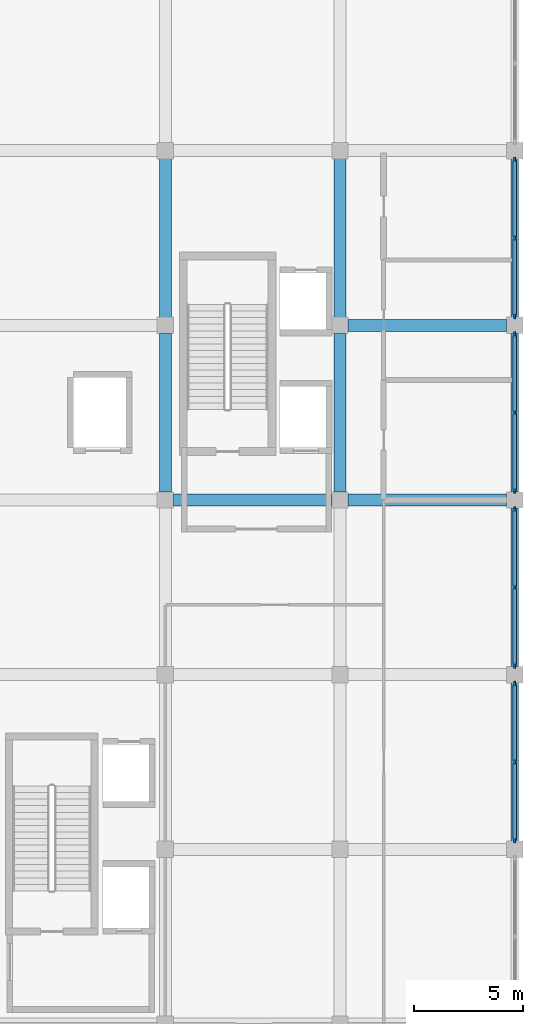
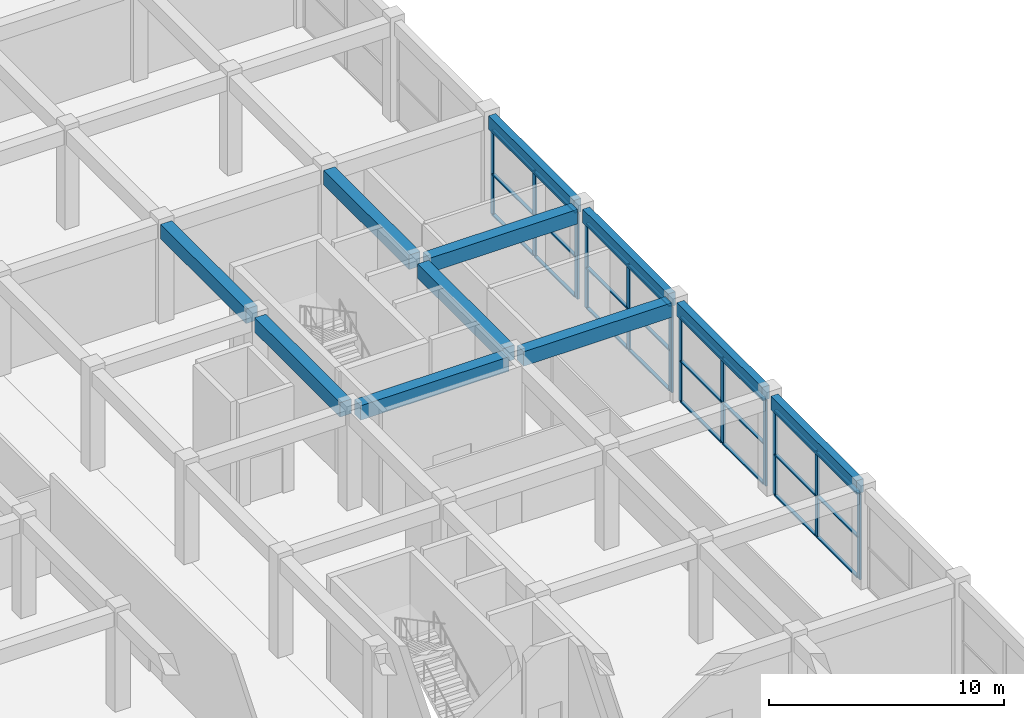
# One storey, part 36 of 69: 36 members, 11 beams, 4 elements without a shape of their own.
"""IFC4 building model written with IfcOpenShell, lengths in metres."""

from ifc_helpers import new_model, si_unit, direction, frame, origin, origin_2d, place, context, subcontext, project, spatial, rectangle, extrude, material, material_profile, profile_set, type_object, element, aggregate, save


model = new_model("IFC4")

# Units and contexts
model_context = context("Model", 3, precision=1e-05, world=origin(), true_north=direction((0.0, 1.0)))
body_context = subcontext(model_context, "Body", "Model", "MODEL_VIEW")
ifc_project = project(units=[si_unit("LENGTHUNIT", "METRE"), si_unit("AREAUNIT", "SQUARE_METRE"), si_unit("VOLUMEUNIT", "CUBIC_METRE"), si_unit("PLANEANGLEUNIT", "RADIAN"), si_unit("MASSUNIT", "GRAM", prefix="KILO")], contexts=[model_context])

# Site, building, storey
site_placement = place(None, origin())
site = spatial("IfcSite", under=ifc_project, at=site_placement, CompositionType="ELEMENT")
building_placement = place(site_placement, origin())
building = spatial("IfcBuilding", under=site, at=building_placement, Name="Kenh Van Central Station", CompositionType="ELEMENT")
storey_placement = place(building_placement, frame((0.0, 0.0, 5.39990234375)))
storey = spatial("IfcBuildingStorey", under=building, at=storey_placement, Name="L01", CompositionType="ELEMENT", Elevation=5.39990234375)

# Beams
ifc_material_1 = material(Name="Concrete C35/45", Category="concrete")
ifc_material_profile_1 = material_profile(ifc_material_1, rectangle(XDim=0.550048828125, YDim=0.75, at=origin_2d()), Name="RC 550x750")
ifc_profile_set_1 = profile_set([ifc_material_profile_1], Name="Concrete C35/45")
beam_type_1 = type_object("IfcBeamType", Name="BM-RC-550x750", PredefinedType="BEAM", material=ifc_profile_set_1)
for number, where, z_axis, x_axis, name in (
    (1, (160.364990234375, 48.0, 4.76513671875), (1.0, 0.0, 0.0), (0.0, 1.0, 0.0), "L01 beam 0721"),
    (2, (168.364990234375, 48.0, 4.76513671875), (1.0, 0.0, 0.0), (0.0, 1.0, 0.0), "L01 beam 0722"),
    (3, (168.364990234375, 56.0, 4.76513671875), (1.0, 0.0, 0.0), (0.0, 1.0, 0.0), "L01 beam 0736"),
    (4, (160.0, 48.364990234375, 4.76513671875), (0.0, 1.0, 0.0), (-1.0, 0.0, 0.0), "L01 beam 0887"),
    (5, (160.0, 56.364990234375, 4.76513671875), (0.0, 1.0, 0.0), (-1.0, 0.0, 0.0), "L01 beam 0888"),
    (6, (168.0, 48.364990234375, 4.76513671875), (0.0, 1.0, 0.0), (-1.0, 0.0, 0.0), "L01 beam 0897"),
    (7, (168.0, 56.364990234375, 4.76513671875), (0.0, 1.0, 0.0), (-1.0, 0.0, 0.0), "L01 beam 0898"),
):
    element("IfcBeam", number, at=place(storey_placement, frame(where, z_axis=z_axis, x_axis=x_axis)), inside=storey, type_object=beam_type_1, Name=name, PredefinedType="BEAM", context=body_context, shape_type="SweptSolid", body=[
        extrude(rectangle(XDim=0.550048828125, YDim=0.75, at=origin_2d()), origin(), (0.0, 0.0, 1.0), 7.27001953125),
    ])

# Curtain wall, members
ifc_material_2 = material(Name="Champagne anodised aluminium", Category="aluminium")
curtain_wall_type = type_object("IfcCurtainWallType", Name="CW-OPER-A", PredefinedType="NOTDEFINED", material=ifc_material_2)
curtain_wall_1_placement = place(storey_placement, origin())
curtain_wall_1 = element("IfcCurtainWall", 8, at=curtain_wall_1_placement, inside=storey, type_object=curtain_wall_type, Name="L01 curtain wall 140", PredefinedType="NOTDEFINED")
ifc_material_profile_2 = material_profile(ifc_material_2, rectangle(XDim=0.087890625, YDim=0.239990234375, at=origin_2d()), Name="AL 88x240")
ifc_profile_set_2 = profile_set([ifc_material_profile_2], Name="Champagne anodised aluminium")
member_type_1 = type_object("IfcMemberType", Name="CWM-60x140", PredefinedType="MULLION", material=ifc_profile_set_2)
member_1_placement = place(storey_placement, frame((176.0, 32.4189453125, 0.0), z_axis=(0.0, 0.0, 1.0), x_axis=(-1.0, 0.0, 0.0)))
member_1 = element("IfcMember", 9, at=member_1_placement, type_object=member_type_1, Name="CW-07 mullion 1", PredefinedType="MULLION", context=body_context, shape_type="SweptSolid", body=[
    extrude(rectangle(XDim=0.087890625, YDim=0.239990234375, at=origin_2d()), origin(), (0.0, 0.0, 1.0), 4.440185546875),
])
member_2_placement = place(storey_placement, frame((176.0, 36.0, 0.0), z_axis=(0.0, 0.0, 1.0), x_axis=(-1.0, 0.0, 0.0)))
member_2 = element("IfcMember", 10, at=member_2_placement, type_object=member_type_1, Name="CW-07 mullion 2", PredefinedType="MULLION", context=body_context, shape_type="SweptSolid", body=[
    extrude(rectangle(XDim=0.087890625, YDim=0.239990234375, at=origin_2d()), origin(), (0.0, 0.0, 1.0), 4.440185546875),
])
member_3_placement = place(storey_placement, frame((176.0, 39.5810546875, 0.0), z_axis=(0.0, 0.0, 1.0), x_axis=(-1.0, 0.0, 0.0)))
member_3 = element("IfcMember", 11, at=member_3_placement, type_object=member_type_1, Name="CW-07 mullion 3", PredefinedType="MULLION", context=body_context, shape_type="SweptSolid", body=[
    extrude(rectangle(XDim=0.087890625, YDim=0.239990234375, at=origin_2d()), origin(), (0.0, 0.0, 1.0), 4.440185546875),
])

curtain_wall_2_placement = place(storey_placement, origin())
curtain_wall_2 = element("IfcCurtainWall", 12, at=curtain_wall_2_placement, inside=storey, type_object=curtain_wall_type, Name="L01 curtain wall 141", PredefinedType="NOTDEFINED")
member_4_placement = place(storey_placement, frame((176.0, 40.4189453125, 0.0), z_axis=(0.0, 0.0, 1.0), x_axis=(-1.0, 0.0, 0.0)))
member_4 = element("IfcMember", 13, at=member_4_placement, type_object=member_type_1, Name="CW-07 mullion 1", PredefinedType="MULLION", context=body_context, shape_type="SweptSolid", body=[
    extrude(rectangle(XDim=0.087890625, YDim=0.239990234375, at=origin_2d()), origin(), (0.0, 0.0, 1.0), 4.440185546875),
])
member_5_placement = place(storey_placement, frame((176.0, 44.0, 0.0), z_axis=(0.0, 0.0, 1.0), x_axis=(-1.0, 0.0, 0.0)))
member_5 = element("IfcMember", 14, at=member_5_placement, type_object=member_type_1, Name="CW-07 mullion 2", PredefinedType="MULLION", context=body_context, shape_type="SweptSolid", body=[
    extrude(rectangle(XDim=0.087890625, YDim=0.239990234375, at=origin_2d()), origin(), (0.0, 0.0, 1.0), 4.440185546875),
])
member_6_placement = place(storey_placement, frame((176.0, 47.5810546875, 0.0), z_axis=(0.0, 0.0, 1.0), x_axis=(-1.0, 0.0, 0.0)))
member_6 = element("IfcMember", 15, at=member_6_placement, type_object=member_type_1, Name="CW-07 mullion 3", PredefinedType="MULLION", context=body_context, shape_type="SweptSolid", body=[
    extrude(rectangle(XDim=0.087890625, YDim=0.239990234375, at=origin_2d()), origin(), (0.0, 0.0, 1.0), 4.440185546875),
])

curtain_wall_3_placement = place(storey_placement, origin())
curtain_wall_3 = element("IfcCurtainWall", 16, at=curtain_wall_3_placement, inside=storey, type_object=curtain_wall_type, Name="L01 curtain wall 142", PredefinedType="NOTDEFINED")
member_7_placement = place(storey_placement, frame((176.0, 48.4189453125, 0.0), z_axis=(0.0, 0.0, 1.0), x_axis=(-1.0, 0.0, 0.0)))
member_7 = element("IfcMember", 17, at=member_7_placement, type_object=member_type_1, Name="CW-07 mullion 1", PredefinedType="MULLION", context=body_context, shape_type="SweptSolid", body=[
    extrude(rectangle(XDim=0.087890625, YDim=0.239990234375, at=origin_2d()), origin(), (0.0, 0.0, 1.0), 4.440185546875),
])
member_8_placement = place(storey_placement, frame((176.0, 52.0, 0.0), z_axis=(0.0, 0.0, 1.0), x_axis=(-1.0, 0.0, 0.0)))
member_8 = element("IfcMember", 18, at=member_8_placement, type_object=member_type_1, Name="CW-07 mullion 2", PredefinedType="MULLION", context=body_context, shape_type="SweptSolid", body=[
    extrude(rectangle(XDim=0.087890625, YDim=0.239990234375, at=origin_2d()), origin(), (0.0, 0.0, 1.0), 4.440185546875),
])
member_9_placement = place(storey_placement, frame((176.0, 55.5810546875, 0.0), z_axis=(0.0, 0.0, 1.0), x_axis=(-1.0, 0.0, 0.0)))
member_9 = element("IfcMember", 19, at=member_9_placement, type_object=member_type_1, Name="CW-07 mullion 3", PredefinedType="MULLION", context=body_context, shape_type="SweptSolid", body=[
    extrude(rectangle(XDim=0.087890625, YDim=0.239990234375, at=origin_2d()), origin(), (0.0, 0.0, 1.0), 4.440185546875),
])

curtain_wall_4_placement = place(storey_placement, origin())
curtain_wall_4 = element("IfcCurtainWall", 20, at=curtain_wall_4_placement, inside=storey, type_object=curtain_wall_type, Name="L01 curtain wall 143", PredefinedType="NOTDEFINED")
member_10_placement = place(storey_placement, frame((176.0, 56.4189453125, 0.0), z_axis=(0.0, 0.0, 1.0), x_axis=(-1.0, 0.0, 0.0)))
member_10 = element("IfcMember", 21, at=member_10_placement, type_object=member_type_1, Name="CW-07 mullion 1", PredefinedType="MULLION", context=body_context, shape_type="SweptSolid", body=[
    extrude(rectangle(XDim=0.087890625, YDim=0.239990234375, at=origin_2d()), origin(), (0.0, 0.0, 1.0), 4.440185546875),
])
member_11_placement = place(storey_placement, frame((176.0, 60.0, 0.0), z_axis=(0.0, 0.0, 1.0), x_axis=(-1.0, 0.0, 0.0)))
member_11 = element("IfcMember", 22, at=member_11_placement, type_object=member_type_1, Name="CW-07 mullion 2", PredefinedType="MULLION", context=body_context, shape_type="SweptSolid", body=[
    extrude(rectangle(XDim=0.087890625, YDim=0.239990234375, at=origin_2d()), origin(), (0.0, 0.0, 1.0), 4.440185546875),
])
member_12_placement = place(storey_placement, frame((176.0, 63.5810546875, 0.0), z_axis=(0.0, 0.0, 1.0), x_axis=(-1.0, 0.0, 0.0)))
member_12 = element("IfcMember", 23, at=member_12_placement, type_object=member_type_1, Name="CW-07 mullion 3", PredefinedType="MULLION", context=body_context, shape_type="SweptSolid", body=[
    extrude(rectangle(XDim=0.087890625, YDim=0.239990234375, at=origin_2d()), origin(), (0.0, 0.0, 1.0), 4.440185546875),
])

# Member
ifc_material_profile_3 = material_profile(ifc_material_2, rectangle(XDim=0.155029296875, YDim=0.072021484375, at=origin_2d()), Name="AL 155x72")
ifc_profile_set_3 = profile_set([ifc_material_profile_3], Name="Champagne anodised aluminium")
member_type_2 = type_object("IfcMemberType", Name="CWT-120x60", PredefinedType="USERDEFINED", material=ifc_profile_set_3)
member_13_placement = place(storey_placement, frame((176.0, 32.462890625, 0.0361328125), z_axis=(0.0, 1.0, 0.0), x_axis=(-1.0, 0.0, 0.0)))
member_13 = element("IfcMember", 24, at=member_13_placement, type_object=member_type_2, Name="CW-07 transom 1.1", ObjectType="TRANSOM", PredefinedType="USERDEFINED", context=body_context, shape_type="SweptSolid", body=[
    extrude(rectangle(XDim=0.155029296875, YDim=0.072021484375, at=origin_2d()), origin(), (0.0, 0.0, 1.0), 3.4931640625),
])

member_14_placement = place(storey_placement, frame((176.0, 32.462890625, 2.13134765625), z_axis=(0.0, 1.0, 0.0), x_axis=(-1.0, 0.0, 0.0)))
member_14 = element("IfcMember", 25, at=member_14_placement, type_object=member_type_2, Name="CW-07 transom 1.2", ObjectType="TRANSOM", PredefinedType="USERDEFINED", context=body_context, shape_type="SweptSolid", body=[
    extrude(rectangle(XDim=0.155029296875, YDim=0.072021484375, at=origin_2d()), origin(), (0.0, 0.0, 1.0), 3.4931640625),
])

member_15_placement = place(storey_placement, frame((176.0, 32.462890625, 4.404052734375), z_axis=(0.0, 1.0, 0.0), x_axis=(-1.0, 0.0, 0.0)))
member_15 = element("IfcMember", 26, at=member_15_placement, type_object=member_type_2, Name="CW-07 transom 1.3", ObjectType="TRANSOM", PredefinedType="USERDEFINED", context=body_context, shape_type="SweptSolid", body=[
    extrude(rectangle(XDim=0.155029296875, YDim=0.072021484375, at=origin_2d()), origin(), (0.0, 0.0, 1.0), 3.4931640625),
])

member_16_placement = place(storey_placement, frame((176.0, 36.0439453125, 0.0361328125), z_axis=(0.0, 1.0, 0.0), x_axis=(-1.0, 0.0, 0.0)))
member_16 = element("IfcMember", 27, at=member_16_placement, type_object=member_type_2, Name="CW-07 transom 2.1", ObjectType="TRANSOM", PredefinedType="USERDEFINED", context=body_context, shape_type="SweptSolid", body=[
    extrude(rectangle(XDim=0.155029296875, YDim=0.072021484375, at=origin_2d()), origin(), (0.0, 0.0, 1.0), 3.4931640625),
])

member_17_placement = place(storey_placement, frame((176.0, 36.0439453125, 2.13134765625), z_axis=(0.0, 1.0, 0.0), x_axis=(-1.0, 0.0, 0.0)))
member_17 = element("IfcMember", 28, at=member_17_placement, type_object=member_type_2, Name="CW-07 transom 2.2", ObjectType="TRANSOM", PredefinedType="USERDEFINED", context=body_context, shape_type="SweptSolid", body=[
    extrude(rectangle(XDim=0.155029296875, YDim=0.072021484375, at=origin_2d()), origin(), (0.0, 0.0, 1.0), 3.4931640625),
])

member_18_placement = place(storey_placement, frame((176.0, 36.0439453125, 4.404052734375), z_axis=(0.0, 1.0, 0.0), x_axis=(-1.0, 0.0, 0.0)))
member_18 = element("IfcMember", 29, at=member_18_placement, type_object=member_type_2, Name="CW-07 transom 2.3", ObjectType="TRANSOM", PredefinedType="USERDEFINED", context=body_context, shape_type="SweptSolid", body=[
    extrude(rectangle(XDim=0.155029296875, YDim=0.072021484375, at=origin_2d()), origin(), (0.0, 0.0, 1.0), 3.4931640625),
])

aggregate(curtain_wall_1, [member_1, member_2, member_3, member_13, member_14, member_15, member_16, member_17, member_18])

member_19_placement = place(storey_placement, frame((176.0, 40.462890625, 0.0361328125), z_axis=(0.0, 1.0, 0.0), x_axis=(-1.0, 0.0, 0.0)))
member_19 = element("IfcMember", 30, at=member_19_placement, type_object=member_type_2, Name="CW-07 transom 1.1", ObjectType="TRANSOM", PredefinedType="USERDEFINED", context=body_context, shape_type="SweptSolid", body=[
    extrude(rectangle(XDim=0.155029296875, YDim=0.072021484375, at=origin_2d()), origin(), (0.0, 0.0, 1.0), 3.4931640625),
])

member_20_placement = place(storey_placement, frame((176.0, 40.462890625, 2.13134765625), z_axis=(0.0, 1.0, 0.0), x_axis=(-1.0, 0.0, 0.0)))
member_20 = element("IfcMember", 31, at=member_20_placement, type_object=member_type_2, Name="CW-07 transom 1.2", ObjectType="TRANSOM", PredefinedType="USERDEFINED", context=body_context, shape_type="SweptSolid", body=[
    extrude(rectangle(XDim=0.155029296875, YDim=0.072021484375, at=origin_2d()), origin(), (0.0, 0.0, 1.0), 3.4931640625),
])

member_21_placement = place(storey_placement, frame((176.0, 40.462890625, 4.404052734375), z_axis=(0.0, 1.0, 0.0), x_axis=(-1.0, 0.0, 0.0)))
member_21 = element("IfcMember", 32, at=member_21_placement, type_object=member_type_2, Name="CW-07 transom 1.3", ObjectType="TRANSOM", PredefinedType="USERDEFINED", context=body_context, shape_type="SweptSolid", body=[
    extrude(rectangle(XDim=0.155029296875, YDim=0.072021484375, at=origin_2d()), origin(), (0.0, 0.0, 1.0), 3.4931640625),
])

member_22_placement = place(storey_placement, frame((176.0, 44.0439453125, 0.0361328125), z_axis=(0.0, 1.0, 0.0), x_axis=(-1.0, 0.0, 0.0)))
member_22 = element("IfcMember", 33, at=member_22_placement, type_object=member_type_2, Name="CW-07 transom 2.1", ObjectType="TRANSOM", PredefinedType="USERDEFINED", context=body_context, shape_type="SweptSolid", body=[
    extrude(rectangle(XDim=0.155029296875, YDim=0.072021484375, at=origin_2d()), origin(), (0.0, 0.0, 1.0), 3.4931640625),
])

member_23_placement = place(storey_placement, frame((176.0, 44.0439453125, 2.13134765625), z_axis=(0.0, 1.0, 0.0), x_axis=(-1.0, 0.0, 0.0)))
member_23 = element("IfcMember", 34, at=member_23_placement, type_object=member_type_2, Name="CW-07 transom 2.2", ObjectType="TRANSOM", PredefinedType="USERDEFINED", context=body_context, shape_type="SweptSolid", body=[
    extrude(rectangle(XDim=0.155029296875, YDim=0.072021484375, at=origin_2d()), origin(), (0.0, 0.0, 1.0), 3.4931640625),
])

member_24_placement = place(storey_placement, frame((176.0, 44.0439453125, 4.404052734375), z_axis=(0.0, 1.0, 0.0), x_axis=(-1.0, 0.0, 0.0)))
member_24 = element("IfcMember", 35, at=member_24_placement, type_object=member_type_2, Name="CW-07 transom 2.3", ObjectType="TRANSOM", PredefinedType="USERDEFINED", context=body_context, shape_type="SweptSolid", body=[
    extrude(rectangle(XDim=0.155029296875, YDim=0.072021484375, at=origin_2d()), origin(), (0.0, 0.0, 1.0), 3.4931640625),
])

aggregate(curtain_wall_2, [member_4, member_5, member_6, member_19, member_20, member_21, member_22, member_23, member_24])

member_25_placement = place(storey_placement, frame((176.0, 48.462890625, 0.0361328125), z_axis=(0.0, 1.0, 0.0), x_axis=(-1.0, 0.0, 0.0)))
member_25 = element("IfcMember", 36, at=member_25_placement, type_object=member_type_2, Name="CW-07 transom 1.1", ObjectType="TRANSOM", PredefinedType="USERDEFINED", context=body_context, shape_type="SweptSolid", body=[
    extrude(rectangle(XDim=0.155029296875, YDim=0.072021484375, at=origin_2d()), origin(), (0.0, 0.0, 1.0), 3.4931640625),
])

member_26_placement = place(storey_placement, frame((176.0, 48.462890625, 2.13134765625), z_axis=(0.0, 1.0, 0.0), x_axis=(-1.0, 0.0, 0.0)))
member_26 = element("IfcMember", 37, at=member_26_placement, type_object=member_type_2, Name="CW-07 transom 1.2", ObjectType="TRANSOM", PredefinedType="USERDEFINED", context=body_context, shape_type="SweptSolid", body=[
    extrude(rectangle(XDim=0.155029296875, YDim=0.072021484375, at=origin_2d()), origin(), (0.0, 0.0, 1.0), 3.4931640625),
])

member_27_placement = place(storey_placement, frame((176.0, 48.462890625, 4.404052734375), z_axis=(0.0, 1.0, 0.0), x_axis=(-1.0, 0.0, 0.0)))
member_27 = element("IfcMember", 38, at=member_27_placement, type_object=member_type_2, Name="CW-07 transom 1.3", ObjectType="TRANSOM", PredefinedType="USERDEFINED", context=body_context, shape_type="SweptSolid", body=[
    extrude(rectangle(XDim=0.155029296875, YDim=0.072021484375, at=origin_2d()), origin(), (0.0, 0.0, 1.0), 3.4931640625),
])

member_28_placement = place(storey_placement, frame((176.0, 52.0439453125, 0.0361328125), z_axis=(0.0, 1.0, 0.0), x_axis=(-1.0, 0.0, 0.0)))
member_28 = element("IfcMember", 39, at=member_28_placement, type_object=member_type_2, Name="CW-07 transom 2.1", ObjectType="TRANSOM", PredefinedType="USERDEFINED", context=body_context, shape_type="SweptSolid", body=[
    extrude(rectangle(XDim=0.155029296875, YDim=0.072021484375, at=origin_2d()), origin(), (0.0, 0.0, 1.0), 3.4931640625),
])

member_29_placement = place(storey_placement, frame((176.0, 52.0439453125, 2.13134765625), z_axis=(0.0, 1.0, 0.0), x_axis=(-1.0, 0.0, 0.0)))
member_29 = element("IfcMember", 40, at=member_29_placement, type_object=member_type_2, Name="CW-07 transom 2.2", ObjectType="TRANSOM", PredefinedType="USERDEFINED", context=body_context, shape_type="SweptSolid", body=[
    extrude(rectangle(XDim=0.155029296875, YDim=0.072021484375, at=origin_2d()), origin(), (0.0, 0.0, 1.0), 3.4931640625),
])

member_30_placement = place(storey_placement, frame((176.0, 52.0439453125, 4.404052734375), z_axis=(0.0, 1.0, 0.0), x_axis=(-1.0, 0.0, 0.0)))
member_30 = element("IfcMember", 41, at=member_30_placement, type_object=member_type_2, Name="CW-07 transom 2.3", ObjectType="TRANSOM", PredefinedType="USERDEFINED", context=body_context, shape_type="SweptSolid", body=[
    extrude(rectangle(XDim=0.155029296875, YDim=0.072021484375, at=origin_2d()), origin(), (0.0, 0.0, 1.0), 3.4931640625),
])

aggregate(curtain_wall_3, [member_7, member_8, member_9, member_25, member_26, member_27, member_28, member_29, member_30])

member_31_placement = place(storey_placement, frame((176.0, 56.462890625, 0.0361328125), z_axis=(0.0, 1.0, 0.0), x_axis=(-1.0, 0.0, 0.0)))
member_31 = element("IfcMember", 42, at=member_31_placement, type_object=member_type_2, Name="CW-07 transom 1.1", ObjectType="TRANSOM", PredefinedType="USERDEFINED", context=body_context, shape_type="SweptSolid", body=[
    extrude(rectangle(XDim=0.155029296875, YDim=0.072021484375, at=origin_2d()), origin(), (0.0, 0.0, 1.0), 3.4931640625),
])

member_32_placement = place(storey_placement, frame((176.0, 56.462890625, 2.13134765625), z_axis=(0.0, 1.0, 0.0), x_axis=(-1.0, 0.0, 0.0)))
member_32 = element("IfcMember", 43, at=member_32_placement, type_object=member_type_2, Name="CW-07 transom 1.2", ObjectType="TRANSOM", PredefinedType="USERDEFINED", context=body_context, shape_type="SweptSolid", body=[
    extrude(rectangle(XDim=0.155029296875, YDim=0.072021484375, at=origin_2d()), origin(), (0.0, 0.0, 1.0), 3.4931640625),
])

member_33_placement = place(storey_placement, frame((176.0, 56.462890625, 4.404052734375), z_axis=(0.0, 1.0, 0.0), x_axis=(-1.0, 0.0, 0.0)))
member_33 = element("IfcMember", 44, at=member_33_placement, type_object=member_type_2, Name="CW-07 transom 1.3", ObjectType="TRANSOM", PredefinedType="USERDEFINED", context=body_context, shape_type="SweptSolid", body=[
    extrude(rectangle(XDim=0.155029296875, YDim=0.072021484375, at=origin_2d()), origin(), (0.0, 0.0, 1.0), 3.4931640625),
])

member_34_placement = place(storey_placement, frame((176.0, 60.0439453125, 0.0361328125), z_axis=(0.0, 1.0, 0.0), x_axis=(-1.0, 0.0, 0.0)))
member_34 = element("IfcMember", 45, at=member_34_placement, type_object=member_type_2, Name="CW-07 transom 2.1", ObjectType="TRANSOM", PredefinedType="USERDEFINED", context=body_context, shape_type="SweptSolid", body=[
    extrude(rectangle(XDim=0.155029296875, YDim=0.072021484375, at=origin_2d()), origin(), (0.0, 0.0, 1.0), 3.4931640625),
])

member_35_placement = place(storey_placement, frame((176.0, 60.0439453125, 2.13134765625), z_axis=(0.0, 1.0, 0.0), x_axis=(-1.0, 0.0, 0.0)))
member_35 = element("IfcMember", 46, at=member_35_placement, type_object=member_type_2, Name="CW-07 transom 2.2", ObjectType="TRANSOM", PredefinedType="USERDEFINED", context=body_context, shape_type="SweptSolid", body=[
    extrude(rectangle(XDim=0.155029296875, YDim=0.072021484375, at=origin_2d()), origin(), (0.0, 0.0, 1.0), 3.4931640625),
])

member_36_placement = place(storey_placement, frame((176.0, 60.0439453125, 4.404052734375), z_axis=(0.0, 1.0, 0.0), x_axis=(-1.0, 0.0, 0.0)))
member_36 = element("IfcMember", 47, at=member_36_placement, type_object=member_type_2, Name="CW-07 transom 2.3", ObjectType="TRANSOM", PredefinedType="USERDEFINED", context=body_context, shape_type="SweptSolid", body=[
    extrude(rectangle(XDim=0.155029296875, YDim=0.072021484375, at=origin_2d()), origin(), (0.0, 0.0, 1.0), 3.4931640625),
])

aggregate(curtain_wall_4, [member_10, member_11, member_12, member_31, member_32, member_33, member_34, member_35, member_36])

# Beams
ifc_material_profile_4 = material_profile(ifc_material_1, rectangle(XDim=0.35009765625, YDim=0.699951171875, at=origin_2d()), Name="RC 350x700")
ifc_profile_set_4 = profile_set([ifc_material_profile_4], Name="Concrete C35/45")
beam_type_2 = type_object("IfcBeamType", Name="SPD-RC-350x700", PredefinedType="SPANDREL", material=ifc_profile_set_4)
for number, where, z_axis, x_axis, name in (
    (48, (176.0, 32.364990234375, 4.7900390625), (0.0, 1.0, 0.0), (-1.0, 0.0, 0.0), "L01 beam 0906"),
    (49, (176.0, 40.364990234375, 4.7900390625), (0.0, 1.0, 0.0), (-1.0, 0.0, 0.0), "L01 beam 0907"),
    (50, (176.0, 48.364990234375, 4.7900390625), (0.0, 1.0, 0.0), (-1.0, 0.0, 0.0), "L01 beam 0908"),
    (51, (176.0, 56.364990234375, 4.7900390625), (0.0, 1.0, 0.0), (-1.0, 0.0, 0.0), "L01 beam 0909"),
):
    element("IfcBeam", number, at=place(storey_placement, frame(where, z_axis=z_axis, x_axis=x_axis)), inside=storey, type_object=beam_type_2, Name=name, PredefinedType="SPANDREL", context=body_context, shape_type="SweptSolid", body=[
        extrude(rectangle(XDim=0.35009765625, YDim=0.699951171875, at=origin_2d()), origin(), (0.0, 0.0, 1.0), 7.27001953125),
    ])

save(model, "model.ifc")
